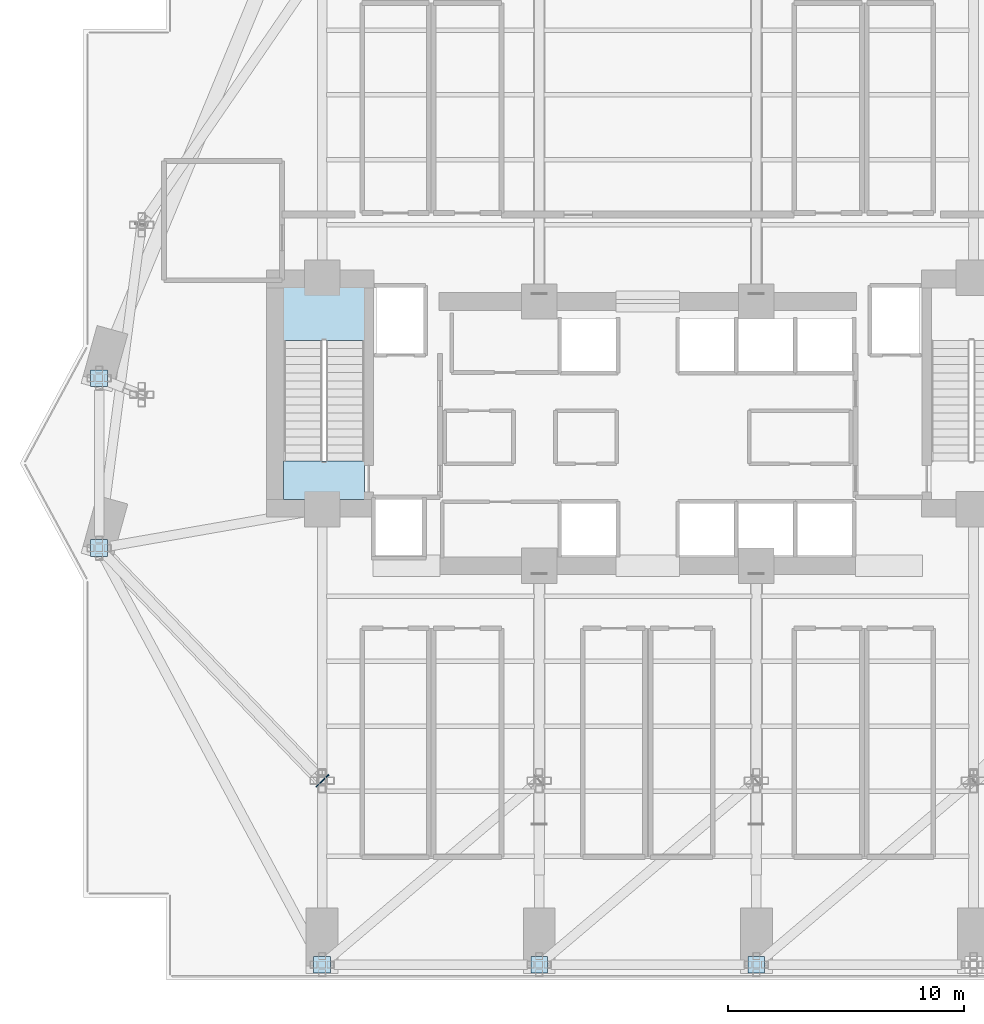
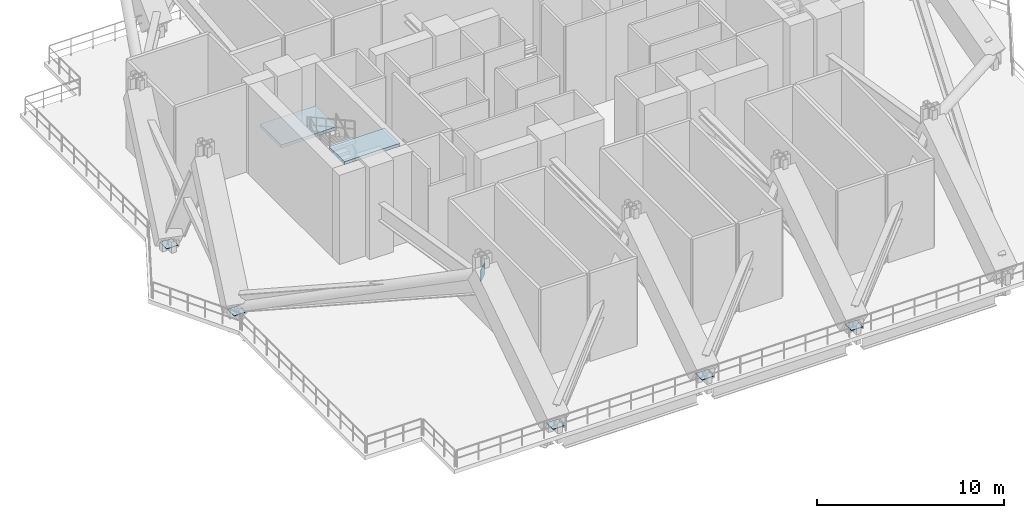
# One storey, part 7 of 18: 6 plates, 2 slabs, 1 element without a shape of its own.
"""IFC4 building model written with IfcOpenShell, lengths in metres."""

from ifc_helpers import new_model, si_unit, direction, frame, origin, origin_2d, place, context, subcontext, project, spatial, polyline, rectangle, outline, extrude, material, layer, layer_set, type_object, element, aggregate, save


model = new_model("IFC4")

# Units and contexts
model_context = context("Model", 3, precision=1e-05, world=origin(), true_north=direction((0.0, 1.0)))
body_context = subcontext(model_context, "Body", "Model", "MODEL_VIEW")
ifc_project = project(units=[si_unit("LENGTHUNIT", "METRE"), si_unit("AREAUNIT", "SQUARE_METRE"), si_unit("VOLUMEUNIT", "CUBIC_METRE"), si_unit("PLANEANGLEUNIT", "RADIAN"), si_unit("MASSUNIT", "GRAM", prefix="KILO")], contexts=[model_context])

# Site, building, storey
site_placement = place(None, origin())
site = spatial("IfcSite", under=ifc_project, at=site_placement, CompositionType="ELEMENT")
building_placement = place(site_placement, origin())
building = spatial("IfcBuilding", under=site, at=building_placement, Name="Zuhayl Quay Hotel", CompositionType="ELEMENT")
storey_placement = place(building_placement, frame((0.0, 0.0, 162.199951171875)))
storey = spatial("IfcBuildingStorey", under=building, at=storey_placement, Name="L41", CompositionType="ELEMENT", Elevation=162.199951171875)

# Stair, slabs
ifc_material_1 = material(Name="Concrete C45/55", Category="concrete")
stair_type = type_object("IfcStairType", Name="ST_DOGLEG_TOWER", PredefinedType="HALF_TURN_STAIR", material=ifc_material_1)
stair_placement = place(storey_placement, origin())
stair = element("IfcStair", 1, at=stair_placement, inside=storey, type_object=stair_type, Name="L41 Smokeproof Exit Stair ST1", PredefinedType="HALF_TURN_STAIR")
ifc_layer_1 = layer(ifc_material_1, 0.199951171875, Name="Concrete C45/55", Category="concrete")
ifc_layer_set_1 = layer_set([ifc_layer_1], Name="Concrete C45/55")
slab_type = type_object("IfcSlabType", Name="SL_STAIR_LANDING_200", PredefinedType="LANDING", material=ifc_layer_set_1)
slab_1_placement = place(storey_placement, frame((0.0, 0.0, 2.800048828125)))
slab_1 = element("IfcSlab", 2, at=slab_1_placement, type_object=slab_type, Name="ST1 landing 1", PredefinedType="LANDING", context=body_context, shape_type="SweptSolid", body=[
    extrude(outline(polyline([(-12.0, 11.68994140625), (-12.0, 13.949951171875), (-15.429931640625, 13.949951171875), (-15.429931640625, 11.68994140625), (-12.0, 11.68994140625)])), origin(), (0.0, 0.0, 1.0), 0.199951171875),
])
slab_2_placement = place(storey_placement, frame((0.0, 0.0, 5.800048828125)))
slab_2 = element("IfcSlab", 3, at=slab_2_placement, type_object=slab_type, Name="ST1 landing 2", PredefinedType="LANDING", context=body_context, shape_type="SweptSolid", body=[
    extrude(outline(polyline([(-12.0, 4.949951171875), (-12.0, 6.590087890625), (-15.429931640625, 6.590087890625), (-15.429931640625, 4.949951171875), (-12.0, 4.949951171875)])), origin(), (0.0, 0.0, 1.0), 0.199951171875),
])
aggregate(stair, [slab_1, slab_2])

# Plates
ifc_material_2 = material(Name="Steel ASTM A572 Grade 50", Category="steel")
ifc_layer_2 = layer(ifc_material_2, 0.0400390625, Name="Steel ASTM A572 Grade 50", Category="steel")
ifc_layer_set_2 = layer_set([ifc_layer_2], Name="Steel ASTM A572 Grade 50")
plate_type = type_object("IfcPlateType", Name="TP_CAP_PLATE_40", PredefinedType="USERDEFINED", material=ifc_layer_set_2)
for number, where, z_axis, x_axis, name in (
    (4, (-13.800048828125, -14.75, 0.24609375), (0.0, 0.0, 1.0), (1.0, 0.0, 0.0), "Truss Node Cap Assembly KN1"),
    (5, (-4.60009765625, -14.75, 0.24609375), (0.0, 0.0, 1.0), (1.0, 0.0, 0.0), "Truss Node Cap Assembly KN1"),
    (6, (4.60009765625, -14.75, 0.24609375), (0.0, 0.0, 1.0), (1.0, 0.0, 0.0), "Truss Node Cap Assembly KN1"),
    (7, (-23.25, 2.89990234375, 0.24609375), (0.0, 0.0, 1.0), (1.0, 0.0, 0.0), "Truss Node Cap Assembly KN1"),
    (8, (-23.25, 10.10009765625, 0.24609375), (0.0, 0.0, 1.0), (1.0, 0.0, 0.0), "Truss Node Cap Assembly KN1"),
):
    element("IfcPlate", number, at=place(storey_placement, frame(where, z_axis=z_axis, x_axis=x_axis)), inside=storey, type_object=plate_type, Name=name, ObjectType="GUSSET PLATE", PredefinedType="USERDEFINED", context=body_context, shape_type="SweptSolid", body=[
        extrude(rectangle(XDim=0.708984375, YDim=0.708984375, at=origin_2d()), origin(), (0.0, 0.0, 1.0), 0.0400390625),
    ])
plate_placement = place(storey_placement, frame((-13.78955078125, -6.9609375, 5.08056640625), z_axis=(0.0, 0.0, 1.0), x_axis=(0.692269134252, -0.721639415333, 0.0)))
element("IfcPlate", 9, at=plate_placement, inside=storey, type_object=plate_type, Name="Truss Node Cap Assembly KN1", ObjectType="GUSSET PLATE", PredefinedType="USERDEFINED", context=body_context, shape_type="SweptSolid", body=[
    extrude(rectangle(XDim=0.0400390625, YDim=0.75, at=origin_2d()), origin(), (0.0, 0.0, 1.0), 0.75),
])

save(model, "model.ifc")
